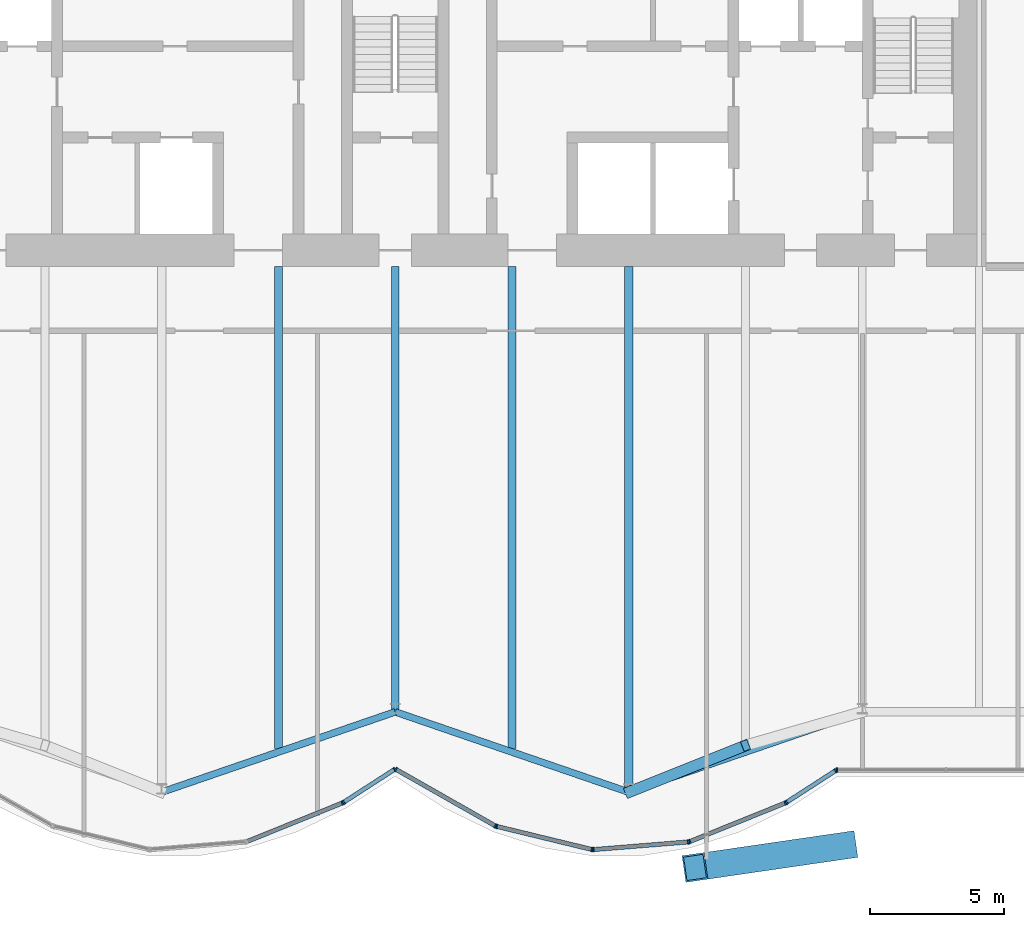
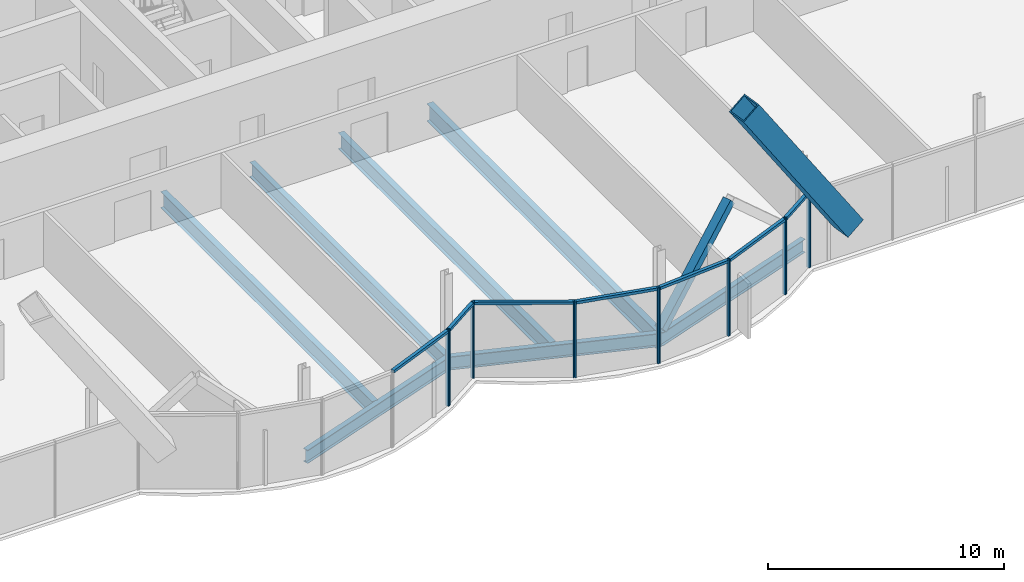
# One storey, part 10 of 24: 23 members, 7 beams, 3 elements without a shape of their own.
"""IFC4 building model written with IfcOpenShell, lengths in metres."""

from ifc_helpers import new_model, si_unit, direction, frame, origin, origin_2d, place, context, subcontext, project, spatial, rectangle, hollow_rectangle, i_section, extrude, material, material_profile, profile_set, type_object, element, aggregate, save


model = new_model("IFC4")

# Units and contexts
model_context = context("Model", 3, precision=1e-05, world=origin(), true_north=direction((0.0, 1.0)))
body_context = subcontext(model_context, "Body", "Model", "MODEL_VIEW")
ifc_project = project(units=[si_unit("LENGTHUNIT", "METRE"), si_unit("AREAUNIT", "SQUARE_METRE"), si_unit("VOLUMEUNIT", "CUBIC_METRE"), si_unit("PLANEANGLEUNIT", "RADIAN"), si_unit("MASSUNIT", "GRAM", prefix="KILO")], contexts=[model_context])

# Site, building, storey
site_placement = place(None, origin())
site = spatial("IfcSite", under=ifc_project, at=site_placement, CompositionType="ELEMENT")
building_placement = place(site_placement, origin())
building = spatial("IfcBuilding", under=site, at=building_placement, Name="Bicima Exchange Tower", CompositionType="ELEMENT")
storey_placement = place(building_placement, frame((0.0, 0.0, 211.39990234375)))
storey = spatial("IfcBuildingStorey", under=building, at=storey_placement, Name="L47", CompositionType="ELEMENT", Elevation=211.39990234375)

# Member
ifc_material_1 = material(Name="Steel ASTM A572 Gr 50", Category="steel")
ifc_material_profile_1 = material_profile(ifc_material_1, hollow_rectangle(XDim=1.0, YDim=1.0, WallThickness=0.06005859375, at=origin_2d()))
ifc_profile_set_1 = profile_set([ifc_material_profile_1], Name="Steel ASTM A572 Gr 50")
member_type_1 = type_object("IfcMemberType", Name="Exo mega brace BOX 1000x1000x60", PredefinedType="BRACE", material=ifc_profile_set_1)
member_1_placement = place(storey_placement, frame((16.75, -34.579345703125, 3.85009765625), z_axis=(-0.551008668038, -0.080112983568, 0.83064514542), x_axis=(0.143880519348, -0.989595066758, 0.0)))
element("IfcMember", 1, at=member_1_placement, inside=storey, type_object=member_type_1, Name="Exo mega brace front", PredefinedType="BRACE", context=body_context, shape_type="SweptSolid", body=[
    extrude(hollow_rectangle(XDim=1.0, YDim=1.0, WallThickness=0.06005859375, at=origin_2d()), origin(), (0.0, 0.0, 1.0), 10.1328125),
])

# Beams
ifc_material_2 = material(Name="Steel ASTM A992 Gr 50", Category="steel")
ifc_material_profile_2 = material_profile(ifc_material_2, i_section(OverallWidth=0.2666015625, OverallDepth=0.75439453125, WebThickness=0.01318359375, FlangeThickness=0.01708984375, at=origin_2d()))
ifc_profile_set_2 = profile_set([ifc_material_profile_2], Name="Steel ASTM A992 Gr 50")
beam_type_1 = type_object("IfcBeamType", Name="Floor beam W30x99", PredefinedType="JOIST", material=ifc_profile_set_2)
beam_1_placement = place(storey_placement, frame((0.0, -13.0, -0.527099609375), z_axis=(0.0, -1.0, 0.0), x_axis=(1.0, 0.0, 0.0)))
element("IfcBeam", 2, at=beam_1_placement, inside=storey, type_object=beam_type_1, Name="Floor beam", PredefinedType="JOIST", context=body_context, shape_type="SweptSolid", body=[
    extrude(i_section(OverallWidth=0.2666015625, OverallDepth=0.75439453125, WebThickness=0.01318359375, FlangeThickness=0.01708984375, at=origin_2d()), origin(), (0.0, 0.0, 1.0), 16.595947265625),
])
ifc_material_profile_3 = material_profile(ifc_material_2, i_section(OverallWidth=0.2919921875, OverallDepth=0.835693359375, WebThickness=0.013916015625, FlangeThickness=0.018798828125, at=origin_2d()))
ifc_profile_set_3 = profile_set([ifc_material_profile_3], Name="Steel ASTM A992 Gr 50")
beam_type_2 = type_object("IfcBeamType", Name="Floor beam W33x118", PredefinedType="JOIST", material=ifc_profile_set_3)
for number, where, z_axis, x_axis, name in (
    (3, (-4.35009765625, -13.0, -0.567626953125), (0.0, -1.0, 0.0), (1.0, 0.0, 0.0), "Floor beam"),
    (4, (4.35009765625, -13.0, -0.567626953125), (0.0, -1.0, 0.0), (1.0, 0.0, 0.0), "Floor beam"),
):
    element("IfcBeam", number, at=place(storey_placement, frame(where, z_axis=z_axis, x_axis=x_axis)), inside=storey, type_object=beam_type_2, Name=name, PredefinedType="JOIST", context=body_context, shape_type="SweptSolid", body=[
        extrude(i_section(OverallWidth=0.2919921875, OverallDepth=0.835693359375, WebThickness=0.013916015625, FlangeThickness=0.018798828125, at=origin_2d()), origin(), (0.0, 0.0, 1.0), 17.955810546875),
    ])
ifc_material_profile_4 = material_profile(ifc_material_2, i_section(OverallWidth=0.3046875, OverallDepth=0.904296875, WebThickness=0.01513671875, FlangeThickness=0.02001953125, at=origin_2d()))
ifc_profile_set_4 = profile_set([ifc_material_profile_4], Name="Steel ASTM A992 Gr 50")
beam_type_3 = type_object("IfcBeamType", Name="Floor beam W36x135", PredefinedType="JOIST", material=ifc_profile_set_4)
beam_2_placement = place(storey_placement, frame((8.699951171875, -13.0, -0.60205078125), z_axis=(0.0, -1.0, 0.0), x_axis=(1.0, 0.0, 0.0)))
element("IfcBeam", 5, at=beam_2_placement, inside=storey, type_object=beam_type_3, Name="Floor beam", PredefinedType="JOIST", context=body_context, shape_type="SweptSolid", body=[
    extrude(i_section(OverallWidth=0.3046875, OverallDepth=0.904296875, WebThickness=0.01513671875, FlangeThickness=0.02001953125, at=origin_2d()), origin(), (0.0, 0.0, 1.0), 19.451416015625),
])
ifc_material_profile_5 = material_profile(ifc_material_2, i_section(OverallWidth=0.256591796875, OverallDepth=0.693359375, WebThickness=0.014404296875, FlangeThickness=0.023681640625, at=origin_2d()))
ifc_profile_set_5 = profile_set([ifc_material_profile_5], Name="Steel ASTM A992 Gr 50")
beam_type_4 = type_object("IfcBeamType", Name="Front girder W27x114", PredefinedType="BEAM", material=ifc_profile_set_5)
for number, where, z_axis, x_axis, name in (
    (6, (-8.699951171875, -32.587158203125, -0.49658203125), (0.945666456746, 0.325138359143, 0.0), (-0.325138359143, 0.945666456746, 0.0), "Front girder"),
    (7, (0.0, -29.595947265625, -0.49658203125), (0.945666456746, -0.325138359143, 0.0), (0.325138359143, 0.945666456746, 0.0), "Front girder"),
    (8, (8.699951171875, -32.587158203125, -0.49658203125), (0.945666456746, 0.325138359143, 0.0), (-0.325138359143, 0.945666456746, 0.0), "Front girder"),
):
    element("IfcBeam", number, at=place(storey_placement, frame(where, z_axis=z_axis, x_axis=x_axis)), inside=storey, type_object=beam_type_4, Name=name, PredefinedType="BEAM", context=body_context, shape_type="SweptSolid", body=[
        extrude(i_section(OverallWidth=0.256591796875, OverallDepth=0.693359375, WebThickness=0.014404296875, FlangeThickness=0.023681640625, at=origin_2d()), origin(), (0.0, 0.0, 1.0), 9.19970703125),
    ])

# Curtain wall, members
ifc_material_3 = material(Name="Anodised bronze aluminium", Category="aluminium")
curtain_wall_type = type_object("IfcCurtainWallType", Name="Front glass wall", PredefinedType="NOTDEFINED", material=ifc_material_3)
curtain_wall_1_placement = place(storey_placement, origin())
curtain_wall_1 = element("IfcCurtainWall", 9, at=curtain_wall_1_placement, inside=storey, type_object=curtain_wall_type, Name="Front glass wall L47 run 6", PredefinedType="NOTDEFINED")
ifc_material_profile_6 = material_profile(ifc_material_3, rectangle(XDim=0.159912109375, YDim=0.06005859375, at=origin_2d()))
ifc_profile_set_6 = profile_set([ifc_material_profile_6], Name="Anodised bronze aluminium")
member_type_2 = type_object("IfcMemberType", Name="Front glass wall mullion 60 x 160", PredefinedType="MULLION", material=ifc_profile_set_6)
member_2_placement = place(storey_placement, frame((-1.97412109375, -32.99169921875, 0.0), z_axis=(0.0, 0.0, 1.0), x_axis=(-0.374705304, 0.92714396679, 0.0)))
member_2 = element("IfcMember", 10, at=member_2_placement, type_object=member_type_2, Name="Front glass wall mullion 2", PredefinedType="MULLION", context=body_context, shape_type="SweptSolid", body=[
    extrude(rectangle(XDim=0.159912109375, YDim=0.06005859375, at=origin_2d()), origin(), (0.0, 0.0, 1.0), 3.9501953125),
])
member_3_placement = place(storey_placement, frame((-1.921142578125, -32.964111328125, 0.0), z_axis=(0.0, 0.0, 1.0), x_axis=(-0.542897457326, 0.839798994301, 0.0)))
member_3 = element("IfcMember", 11, at=member_3_placement, type_object=member_type_2, Name="Front glass wall mullion 1", PredefinedType="MULLION", context=body_context, shape_type="SweptSolid", body=[
    extrude(rectangle(XDim=0.159912109375, YDim=0.06005859375, at=origin_2d()), origin(), (0.0, 0.0, 1.0), 3.9501953125),
])
member_4_placement = place(storey_placement, frame((-0.025146484375, -31.73828125, 0.0), z_axis=(0.0, 0.0, 1.0), x_axis=(-0.542897457326, 0.839798994301, 0.0)))
member_4 = element("IfcMember", 12, at=member_4_placement, type_object=member_type_2, Name="Front glass wall mullion 2", PredefinedType="MULLION", context=body_context, shape_type="SweptSolid", body=[
    extrude(rectangle(XDim=0.159912109375, YDim=0.06005859375, at=origin_2d()), origin(), (0.0, 0.0, 1.0), 3.9501953125),
])

curtain_wall_2_placement = place(storey_placement, origin())
curtain_wall_2 = element("IfcCurtainWall", 13, at=curtain_wall_2_placement, inside=storey, type_object=curtain_wall_type, Name="Front glass wall L47 run 11", PredefinedType="NOTDEFINED")
member_5_placement = place(storey_placement, frame((0.026123046875, -31.737060546875, 0.0), z_axis=(0.0, 0.0, 1.0), x_axis=(0.494330311331, 0.869274147378, 0.0)))
member_5 = element("IfcMember", 14, at=member_5_placement, type_object=member_type_2, Name="Front glass wall mullion 1", PredefinedType="MULLION", context=body_context, shape_type="SweptSolid", body=[
    extrude(rectangle(XDim=0.159912109375, YDim=0.06005859375, at=origin_2d()), origin(), (0.0, 0.0, 1.0), 3.9501953125),
])
member_6_placement = place(storey_placement, frame((3.7265625, -33.84130859375, 0.0), z_axis=(0.0, 0.0, 1.0), x_axis=(0.494330311331, 0.869274147378, 0.0)))
member_6 = element("IfcMember", 15, at=member_6_placement, type_object=member_type_2, Name="Front glass wall mullion 2", PredefinedType="MULLION", context=body_context, shape_type="SweptSolid", body=[
    extrude(rectangle(XDim=0.159912109375, YDim=0.06005859375, at=origin_2d()), origin(), (0.0, 0.0, 1.0), 3.9501953125),
])
member_7_placement = place(storey_placement, frame((3.781982421875, -33.86328125, 0.0), z_axis=(0.0, 0.0, 1.0), x_axis=(0.235681529503, 0.971830343553, 0.0)))
member_7 = element("IfcMember", 16, at=member_7_placement, type_object=member_type_2, Name="Front glass wall mullion 1", PredefinedType="MULLION", context=body_context, shape_type="SweptSolid", body=[
    extrude(rectangle(XDim=0.159912109375, YDim=0.06005859375, at=origin_2d()), origin(), (0.0, 0.0, 1.0), 3.9501953125),
])
member_8_placement = place(storey_placement, frame((7.322509765625, -34.721923828125, 0.0), z_axis=(0.0, 0.0, 1.0), x_axis=(0.235681529503, 0.971830343553, 0.0)))
member_8 = element("IfcMember", 17, at=member_8_placement, type_object=member_type_2, Name="Front glass wall mullion 2", PredefinedType="MULLION", context=body_context, shape_type="SweptSolid", body=[
    extrude(rectangle(XDim=0.159912109375, YDim=0.06005859375, at=origin_2d()), origin(), (0.0, 0.0, 1.0), 3.9501953125),
])
member_9_placement = place(storey_placement, frame((7.381591796875, -34.7265625, 0.0), z_axis=(0.0, 0.0, 1.0), x_axis=(-0.080588612633, 0.99674744821, 0.0)))
member_9 = element("IfcMember", 18, at=member_9_placement, type_object=member_type_2, Name="Front glass wall mullion 1", PredefinedType="MULLION", context=body_context, shape_type="SweptSolid", body=[
    extrude(rectangle(XDim=0.159912109375, YDim=0.06005859375, at=origin_2d()), origin(), (0.0, 0.0, 1.0), 3.9501953125),
])
member_10_placement = place(storey_placement, frame((10.916015625, -34.44091796875, 0.0), z_axis=(0.0, 0.0, 1.0), x_axis=(-0.080588612633, 0.99674744821, 0.0)))
member_10 = element("IfcMember", 19, at=member_10_placement, type_object=member_type_2, Name="Front glass wall mullion 2", PredefinedType="MULLION", context=body_context, shape_type="SweptSolid", body=[
    extrude(rectangle(XDim=0.159912109375, YDim=0.06005859375, at=origin_2d()), origin(), (0.0, 0.0, 1.0), 3.9501953125),
])
member_11_placement = place(storey_placement, frame((10.973876953125, -34.42724609375, 0.0), z_axis=(0.0, 0.0, 1.0), x_axis=(-0.374705304, 0.92714396679, 0.0)))
member_11 = element("IfcMember", 20, at=member_11_placement, type_object=member_type_2, Name="Front glass wall mullion 1", PredefinedType="MULLION", context=body_context, shape_type="SweptSolid", body=[
    extrude(rectangle(XDim=0.159912109375, YDim=0.06005859375, at=origin_2d()), origin(), (0.0, 0.0, 1.0), 3.9501953125),
])
member_12_placement = place(storey_placement, frame((14.52587890625, -32.99169921875, 0.0), z_axis=(0.0, 0.0, 1.0), x_axis=(-0.374705304, 0.92714396679, 0.0)))
member_12 = element("IfcMember", 21, at=member_12_placement, type_object=member_type_2, Name="Front glass wall mullion 2", PredefinedType="MULLION", context=body_context, shape_type="SweptSolid", body=[
    extrude(rectangle(XDim=0.159912109375, YDim=0.06005859375, at=origin_2d()), origin(), (0.0, 0.0, 1.0), 3.9501953125),
])
member_13_placement = place(storey_placement, frame((14.578857421875, -32.964111328125, 0.0), z_axis=(0.0, 0.0, 1.0), x_axis=(-0.542909183079, 0.839791413941, 0.0)))
member_13 = element("IfcMember", 22, at=member_13_placement, type_object=member_type_2, Name="Front glass wall mullion 1", PredefinedType="MULLION", context=body_context, shape_type="SweptSolid", body=[
    extrude(rectangle(XDim=0.159912109375, YDim=0.06005859375, at=origin_2d()), origin(), (0.0, 0.0, 1.0), 3.9501953125),
])
member_14_placement = place(storey_placement, frame((16.406982421875, -31.7822265625, 0.0), z_axis=(0.0, 0.0, 1.0), x_axis=(-0.542909183079, 0.839791413941, 0.0)))
member_14 = element("IfcMember", 23, at=member_14_placement, type_object=member_type_2, Name="Front glass wall mullion 2", PredefinedType="MULLION", context=body_context, shape_type="SweptSolid", body=[
    extrude(rectangle(XDim=0.159912109375, YDim=0.06005859375, at=origin_2d()), origin(), (0.0, 0.0, 1.0), 3.9501953125),
])

# Curtain wall, member
curtain_wall_3_placement = place(storey_placement, origin())
curtain_wall_3 = element("IfcCurtainWall", 24, at=curtain_wall_3_placement, inside=storey, type_object=curtain_wall_type, Name="Front glass wall L47 run 16", PredefinedType="NOTDEFINED")
member_15_placement = place(storey_placement, frame((16.462158203125, -31.76611328125, 0.0), z_axis=(0.0, 0.0, 1.0), x_axis=(0.0, 1.0, 0.0)))
member_15 = element("IfcMember", 25, at=member_15_placement, type_object=member_type_2, Name="Front glass wall mullion 1", PredefinedType="MULLION", context=body_context, shape_type="SweptSolid", body=[
    extrude(rectangle(XDim=0.159912109375, YDim=0.06005859375, at=origin_2d()), origin(), (0.0, 0.0, 1.0), 3.9501953125),
])
aggregate(curtain_wall_3, [member_15])

# Member
ifc_material_profile_7 = material_profile(ifc_material_3, rectangle(XDim=0.159912109375, YDim=0.139892578125, at=origin_2d()))
ifc_profile_set_7 = profile_set([ifc_material_profile_7], Name="Anodised bronze aluminium")
member_type_3 = type_object("IfcMemberType", Name="Front glass wall transom 140 x 160", PredefinedType="USERDEFINED", material=ifc_profile_set_7)
member_16_placement = place(storey_placement, frame((-5.498291015625, -34.416015625, 3.880126953125), z_axis=(0.927117723275, 0.374770232528, 0.0), x_axis=(-0.374770232528, 0.927117723275, 0.0)))
member_16 = element("IfcMember", 26, at=member_16_placement, type_object=member_type_3, Name="Front glass wall transom 1.1", ObjectType="TRANSOM", PredefinedType="USERDEFINED", context=body_context, shape_type="SweptSolid", body=[
    extrude(rectangle(XDim=0.159912109375, YDim=0.139892578125, at=origin_2d()), origin(), (0.0, 0.0, 1.0), 3.771240234375),
])

member_17_placement = place(storey_placement, frame((-1.89599609375, -32.94775390625, 3.880126953125), z_axis=(0.839811483481, 0.542878137536, 0.0), x_axis=(-0.542878137536, 0.839811483481, 0.0)))
member_17 = element("IfcMember", 27, at=member_17_placement, type_object=member_type_3, Name="Front glass wall transom 1.1", ObjectType="TRANSOM", PredefinedType="USERDEFINED", context=body_context, shape_type="SweptSolid", body=[
    extrude(rectangle(XDim=0.159912109375, YDim=0.139892578125, at=origin_2d()), origin(), (0.0, 0.0, 1.0), 2.19775390625),
])

aggregate(curtain_wall_1, [member_2, member_16, member_3, member_4, member_17])

member_18_placement = place(storey_placement, frame((0.05224609375, -31.751708984375, 3.880126953125), z_axis=(0.869265121745, -0.494346182466, 0.0), x_axis=(0.494346182466, 0.869265121745, 0.0)))
member_18 = element("IfcMember", 28, at=member_18_placement, type_object=member_type_3, Name="Front glass wall transom 1.1", ObjectType="TRANSOM", PredefinedType="USERDEFINED", context=body_context, shape_type="SweptSolid", body=[
    extrude(rectangle(XDim=0.159912109375, YDim=0.139892578125, at=origin_2d()), origin(), (0.0, 0.0, 1.0), 4.19677734375),
])

member_19_placement = place(storey_placement, frame((3.81103515625, -33.870361328125, 3.880126953125), z_axis=(0.971833557815, -0.235668275132, 0.0), x_axis=(0.235668275132, 0.971833557815, 0.0)))
member_19 = element("IfcMember", 29, at=member_19_placement, type_object=member_type_3, Name="Front glass wall transom 1.1", ObjectType="TRANSOM", PredefinedType="USERDEFINED", context=body_context, shape_type="SweptSolid", body=[
    extrude(rectangle(XDim=0.159912109375, YDim=0.139892578125, at=origin_2d()), origin(), (0.0, 0.0, 1.0), 3.583251953125),
])

member_20_placement = place(storey_placement, frame((7.41162109375, -34.72412109375, 3.880126953125), z_axis=(0.9967456465, 0.080610893699, 0.0), x_axis=(-0.080610893699, 0.9967456465, 0.0)))
member_20 = element("IfcMember", 30, at=member_20_placement, type_object=member_type_3, Name="Front glass wall transom 1.1", ObjectType="TRANSOM", PredefinedType="USERDEFINED", context=body_context, shape_type="SweptSolid", body=[
    extrude(rectangle(XDim=0.159912109375, YDim=0.139892578125, at=origin_2d()), origin(), (0.0, 0.0, 1.0), 3.48583984375),
])

member_21_placement = place(storey_placement, frame((11.001708984375, -34.416015625, 3.880126953125), z_axis=(0.927117723275, 0.374770232528, 0.0), x_axis=(-0.374770232528, 0.927117723275, 0.0)))
member_21 = element("IfcMember", 31, at=member_21_placement, type_object=member_type_3, Name="Front glass wall transom 1.1", ObjectType="TRANSOM", PredefinedType="USERDEFINED", context=body_context, shape_type="SweptSolid", body=[
    extrude(rectangle(XDim=0.159912109375, YDim=0.139892578125, at=origin_2d()), origin(), (0.0, 0.0, 1.0), 3.771240234375),
])

member_22_placement = place(storey_placement, frame((14.60400390625, -32.94775390625, 3.880126953125), z_axis=(0.839792890287, 0.542906899407, 0.0), x_axis=(-0.542906899407, 0.839792890287, 0.0)))
member_22 = element("IfcMember", 32, at=member_22_placement, type_object=member_type_3, Name="Front glass wall transom 1.1", ObjectType="TRANSOM", PredefinedType="USERDEFINED", context=body_context, shape_type="SweptSolid", body=[
    extrude(rectangle(XDim=0.159912109375, YDim=0.139892578125, at=origin_2d()), origin(), (0.0, 0.0, 1.0), 2.11669921875),
])

aggregate(curtain_wall_2, [member_5, member_6, member_18, member_7, member_8, member_19, member_9, member_10, member_20, member_11, member_12, member_21, member_13, member_14, member_22])

ifc_material_profile_8 = material_profile(ifc_material_1, hollow_rectangle(XDim=0.406494140625, YDim=0.406494140625, WallThickness=0.0146484375, at=origin_2d()))
ifc_profile_set_8 = profile_set([ifc_material_profile_8], Name="Steel ASTM A572 Gr 50")
member_type_4 = type_object("IfcMemberType", Name="Mega brace HSS16x16x5/8", PredefinedType="BRACE", material=ifc_profile_set_8)
member_23_placement = place(storey_placement, frame((8.699951171875, -32.587158203125, 0.0), z_axis=(0.698718538106, 0.279440358208, 0.65856320176), x_axis=(-0.3713367687, 0.928498252132, 0.0)))
element("IfcMember", 33, at=member_23_placement, inside=storey, type_object=member_type_4, Name="Mega brace front", PredefinedType="BRACE", context=body_context, shape_type="SweptSolid", body=[
    extrude(hollow_rectangle(XDim=0.406494140625, YDim=0.406494140625, WallThickness=0.0146484375, at=origin_2d()), origin(), (0.0, 0.0, 1.0), 6.225830078125),
])

save(model, "model.ifc")
